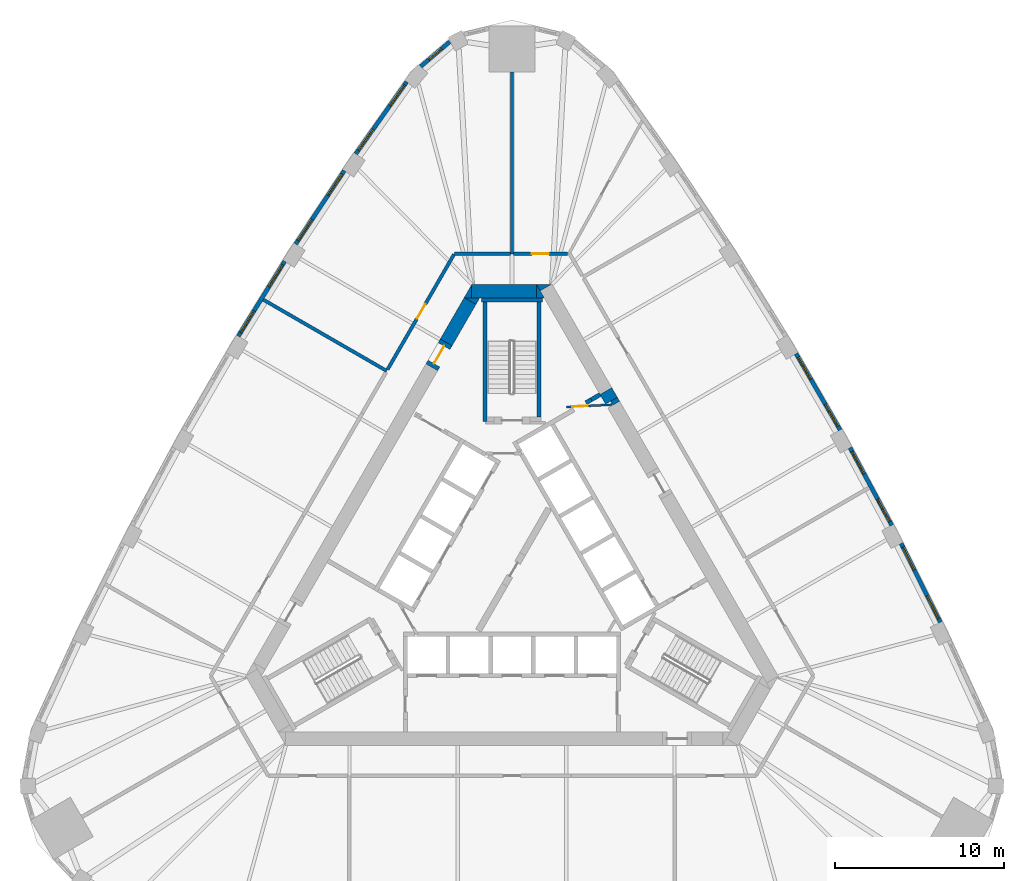
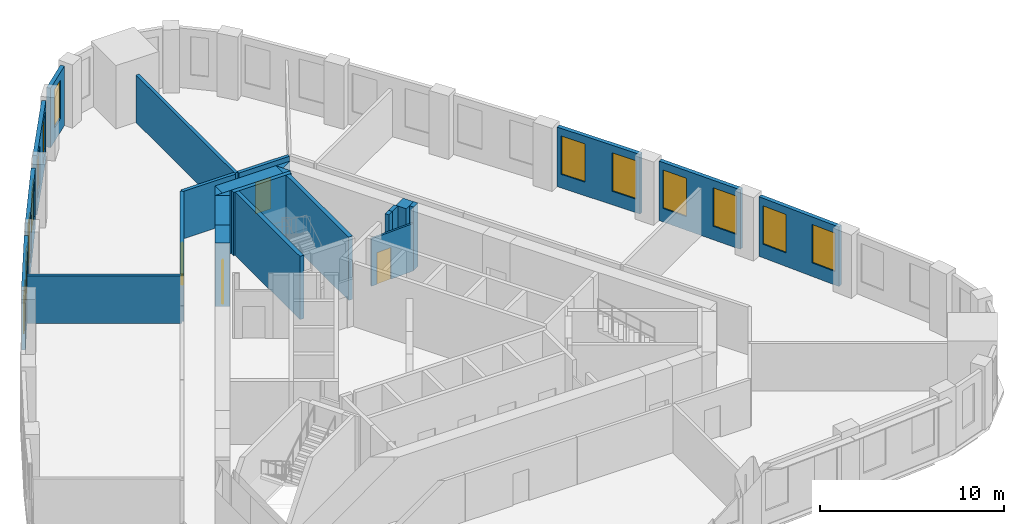
# One storey, part 7 of 9: 27 walls, 13 windows, 4 doors, 17 openings.
"""IFC4 building model written with IfcOpenShell, lengths in metres."""

import ifcopenshell
import ifcopenshell.guid

model = None  # the IFC model being written
_history = None  # IfcOwnerHistory: only IFC2X3 demands one
_inside = {}  # id of a spatial element -> (the spatial element, [elements in it])
_under = {}  # id of a project, library or spatial element -> (it, [spatial elements below it])
_declared = {}  # id of a project -> (the project, [libraries it declares])
_typed = {}  # id of a type object -> (the type object, [elements of that type])
_made_of = {}  # id of a material, layer set ... -> (it, [elements and type objects made of it])


def new_model(schema):
    """Start an empty IFC model of exactly this schema.

    Asked for "IFC4X3", IfcOpenShell would pick the latest addendum, in which some entities
    have other attributes; the version numbers below select the first issue.
    IFC2X3 requires an IfcOwnerHistory on every rooted entity: one is made here for all.
    """
    global model, _history
    if schema == "IFC4X3":
        model = ifcopenshell.file(schema_version=(4, 3, 0, 0))
    else:
        model = ifcopenshell.file(schema=schema)
    _inside.clear()
    _under.clear()
    _declared.clear()
    _typed.clear()
    _made_of.clear()
    _history = None
    if model.schema == "IFC2X3":
        org = make("IfcOrganization", Name="unknown")
        user = make(
            "IfcPersonAndOrganization",
            ThePerson=make("IfcPerson", FamilyName="unknown"),
            TheOrganization=org,
        )
        app = make(
            "IfcApplication",
            ApplicationDeveloper=org,
            Version="unknown",
            ApplicationFullName="unknown",
            ApplicationIdentifier="unknown",
        )
        _history = make(
            "IfcOwnerHistory",
            OwningUser=user,
            OwningApplication=app,
            ChangeAction="ADDED",
            CreationDate=0,
        )
    return model


def make(cls, **values):
    """One entity of the class cls with the attributes given. An attribute that is None is left unset."""
    return model.create_entity(
        cls, **{name: value for name, value in values.items() if value is not None}
    )


def rooted(cls, **values):
    """An entity with a GlobalId (a new one), such as an element, a storey or a relation."""
    return make(cls, GlobalId=ifcopenshell.guid.new(), OwnerHistory=_history, **values)


def si_unit(unit_type, name, prefix=None):
    """IfcSIUnit, for example si_unit("LENGTHUNIT", "METRE", prefix="MILLI")."""
    return make("IfcSIUnit", UnitType=unit_type, Prefix=prefix, Name=name)


def assignment(units):
    """IfcUnitAssignment: the units of a project."""
    return None if units is None else make("IfcUnitAssignment", Units=units)


def point(xyz):
    """IfcCartesianPoint."""
    return None if xyz is None else make("IfcCartesianPoint", Coordinates=xyz)


def direction(xyz):
    """IfcDirection."""
    return None if xyz is None else make("IfcDirection", DirectionRatios=xyz)


def frame(location, z_axis=None, x_axis=None):
    """IfcAxis2Placement3D, a coordinate frame: its origin and axes. An axis left out is left unset."""
    return make(
        "IfcAxis2Placement3D",
        Location=point(location),
        Axis=direction(z_axis),
        RefDirection=direction(x_axis),
    )


def frame_2d(location, x_axis=None):
    """IfcAxis2Placement2D, a coordinate frame in the plane: its origin and x axis."""
    return make(
        "IfcAxis2Placement2D", Location=point(location), RefDirection=direction(x_axis)
    )


def origin():
    """The frame at (0, 0, 0) with its axes left unset."""
    return frame((0.0, 0.0, 0.0))


def place(relative_to, where):
    """IfcLocalPlacement: puts the frame where relative to a parent placement (None: the world)."""
    return make(
        "IfcLocalPlacement", PlacementRelTo=relative_to, RelativePlacement=where
    )


def context(
    kind, dimensions, precision=None, world=None, true_north=None, identifier=None
):
    """IfcGeometricRepresentationContext, for example the 3D "Model" context."""
    return make(
        "IfcGeometricRepresentationContext",
        ContextIdentifier=identifier,
        ContextType=kind,
        CoordinateSpaceDimension=dimensions,
        Precision=precision,
        WorldCoordinateSystem=world,
        TrueNorth=true_north,
    )


def subcontext(parent, identifier, kind, view, scale=None):
    """IfcGeometricRepresentationSubContext, for example "Body" below "Model"."""
    return make(
        "IfcGeometricRepresentationSubContext",
        ContextIdentifier=identifier,
        ContextType=kind,
        ParentContext=parent,
        TargetScale=scale,
        TargetView=view,
    )


def project(units=None, contexts=None):
    """IfcProject with its units and contexts."""
    return rooted(
        "IfcProject",
        Name="project",
        RepresentationContexts=contexts,
        UnitsInContext=assignment(units),
    )


def spatial(cls, under=None, at=None, **own):
    """A site, building, storey or space (cls), placed at a placement, below another one or the project."""
    s = rooted(cls, ObjectPlacement=at, **own)
    if under is not None:
        _under.setdefault(under.id(), (under, []))[1].append(s)
    return s


def polyline(points):
    """IfcPolyline through the points."""
    return make("IfcPolyline", Points=[point(p) for p in points])


def profile(cls, at=None, kind="AREA", **sizes):
    """A parametric profile (cls). Its sizes go by their IFC names, for example OverallWidth=200.0."""
    return make(cls, ProfileType=kind, Position=at, **sizes)


def rectangle(**sizes):
    """IfcRectangleProfileDef."""
    return profile("IfcRectangleProfileDef", **sizes)


def outline(outer, holes=None, kind="AREA"):
    """IfcArbitraryClosedProfileDef: a profile drawn as a closed curve; with holes, ...WithVoids."""
    if holes is None:
        return make("IfcArbitraryClosedProfileDef", ProfileType=kind, OuterCurve=outer)
    return make(
        "IfcArbitraryProfileDefWithVoids",
        ProfileType=kind,
        OuterCurve=outer,
        InnerCurves=holes,
    )


def extrude(swept, where, along, depth):
    """IfcExtrudedAreaSolid: the profile swept, set in the frame where, extruded along a direction by depth."""
    return make(
        "IfcExtrudedAreaSolid",
        SweptArea=swept,
        Position=where,
        ExtrudedDirection=direction(along),
        Depth=depth,
    )


def shape(context_of_items, identifier, shape_type, items):
    """IfcShapeRepresentation: the items that make up one representation, for example the "Body"."""
    return make(
        "IfcShapeRepresentation",
        ContextOfItems=context_of_items,
        RepresentationIdentifier=identifier,
        RepresentationType=shape_type,
        Items=items,
    )


def material(Name=None, Category=None):
    """IfcMaterial."""
    return make("IfcMaterial", Name=Name, Category=Category)


def layer(
    of_material, thickness, ventilated=None, Name=None, Category=None, Priority=None
):
    """IfcMaterialLayer: one layer of a wall or slab, of a material (None: an air gap)."""
    return make(
        "IfcMaterialLayer",
        Material=of_material,
        LayerThickness=thickness,
        IsVentilated=ventilated,
        Name=Name,
        Category=Category,
        Priority=Priority,
    )


def layer_set(layers, Name=None):
    """IfcMaterialLayerSet."""
    return make("IfcMaterialLayerSet", MaterialLayers=layers, LayerSetName=Name)


def made_of(thing, what):
    """Note that an element or type object is made of a material, layer set ...; save() writes the relation."""
    if what is not None:
        _made_of.setdefault(what.id(), (what, []))[1].append(thing)
    return thing


def type_object(cls, material=None, **own):
    """A type object (cls), such as IfcWallType, which elements share."""
    return made_of(rooted(cls, **own), material)


def element(
    cls,
    number,
    at=None,
    inside=None,
    cuts=None,
    type_object=None,
    material=None,
    context=None,
    identifier="Body",
    shape_type=None,
    held_by="IfcProductDefinitionShape",
    body=None,
    shapes=None,
    **own,
):
    """One element of the class cls, such as IfcWall. Its Tag is "e" and its number.

    at: its placement. inside: the storey or other place that contains it. cuts: it is an
    opening in that element (IfcRelVoidsElement). A single representation is given by context,
    identifier, shape_type and body (its items); several are given by shapes. held_by: the class
    of the entity that holds the representations. save() writes the other relations.
    """
    e = rooted(cls, Tag="e%d" % number, ObjectPlacement=at, **own)
    if body is not None:
        shapes = [shape(context, identifier, shape_type, body)]
    if shapes is not None:
        e.Representation = make(held_by, Representations=shapes)
    if inside is not None:
        _inside.setdefault(inside.id(), (inside, []))[1].append(e)
    if cuts is not None:
        rooted(
            "IfcRelVoidsElement", RelatingBuildingElement=cuts, RelatedOpeningElement=e
        )
    if type_object is not None:
        _typed.setdefault(type_object.id(), (type_object, []))[1].append(e)
    return made_of(e, material)


def fill(opening, filler):
    """IfcRelFillsElement: the door or window that sits in an opening."""
    return rooted(
        "IfcRelFillsElement",
        RelatingOpeningElement=opening,
        RelatedBuildingElement=filler,
    )


def aggregate(whole, parts):
    """IfcRelAggregates: a whole, such as a stair, and the parts it consists of."""
    return rooted("IfcRelAggregates", RelatingObject=whole, RelatedObjects=parts)


def save(model, path):
    """Write the relations noted so far, then the file.

    IfcRelAggregates (storeys below a building ...), IfcRelContainedInSpatialStructure (elements
    in a storey), IfcRelDefinesByType, IfcRelAssociatesMaterial and IfcRelDeclares: one each for
    every whole, place, type object, material and project.
    """
    for whole, parts in _under.values():
        aggregate(whole, parts)
    for where, things in _inside.values():
        rooted(
            "IfcRelContainedInSpatialStructure",
            RelatedElements=things,
            RelatingStructure=where,
        )
    for kind, things in _typed.values():
        rooted("IfcRelDefinesByType", RelatedObjects=things, RelatingType=kind)
    for what, things in _made_of.values():
        rooted("IfcRelAssociatesMaterial", RelatedObjects=things, RelatingMaterial=what)
    for by, libraries in _declared.values():
        rooted("IfcRelDeclares", RelatingContext=by, RelatedDefinitions=libraries)
    model.write(path)


model = new_model("IFC4")

# Units and contexts
model_context = context("Model", 3, precision=1e-05, world=origin(), true_north=direction((0.0, 1.0)))
body_context = subcontext(model_context, "Body", "Model", "MODEL_VIEW")
ifc_project = project(units=[si_unit("LENGTHUNIT", "METRE"), si_unit("AREAUNIT", "SQUARE_METRE"), si_unit("VOLUMEUNIT", "CUBIC_METRE"), si_unit("PLANEANGLEUNIT", "RADIAN"), si_unit("MASSUNIT", "GRAM", prefix="KILO")], contexts=[model_context])

# Site, building, storey
site_placement = place(None, origin())
site = spatial("IfcSite", under=ifc_project, at=site_placement, CompositionType="ELEMENT")
building_placement = place(site_placement, origin())
building = spatial("IfcBuilding", under=site, at=building_placement, Name="Mestral Congress Tower", CompositionType="ELEMENT")
storey_placement = place(building_placement, frame((0.0, 0.0, 179.39990234375)))
storey = spatial("IfcBuildingStorey", under=building, at=storey_placement, Name="L42", CompositionType="ELEMENT", Elevation=179.39990234375)

# Wall, opening, door
ifc_material_1 = material(Name="Fire-rated board partition")
ifc_layer_1 = layer(ifc_material_1, 0.1201171875)
ifc_layer_set_1 = layer_set([ifc_layer_1], Name="Fire-rated board partition")
wall_type_1 = type_object("IfcWallType", Name="Core partition 150 door-wall 120", PredefinedType="PARTITIONING", material=ifc_layer_set_1)
wall_1_placement = place(storey_placement, frame((5.917236328125, 9.684326171875, 0.0), z_axis=(0.0, 0.0, 1.0), x_axis=(-0.998758194515, -0.049820366212, 0.0)))
wall_1 = element("IfcWall", 1, at=wall_1_placement, inside=storey, type_object=wall_type_1, Name="L42 door wall", PredefinedType="PARTITIONING", context=body_context, shape_type="SweptSolid", body=[
    extrude(rectangle(XDim=2.7001953125, YDim=0.119873046875, at=frame_2d((1.35009765625, 0.0))), origin(), (0.0, 0.0, 1.0), 3.150146484375),
])
opening_1_placement = place(wall_1_placement, frame((1.449951171875, 0.0, 0.0)))
opening_1 = element("IfcOpeningElement", 2, at=opening_1_placement, cuts=wall_1, Name="Opening TD2", PredefinedType="OPENING", context=body_context, shape_type="SweptSolid", body=[
    extrude(rectangle(XDim=0.89990234375, YDim=2.10009765625, at=frame_2d((0.449951171875, 1.050048828125))), frame((0.0, 0.06982421875, 0.0), z_axis=(0.0, -1.0, 0.0), x_axis=(1.0, 0.0, 0.0)), (0.0, 0.0, 1.0), 0.139892578125),
])
ifc_material_2 = material(Name="Fire-rated steel door set", Category="steel")
door_type_1 = type_object("IfcDoorType", Name="Core door SR 900x2100", OperationType="SINGLE_SWING_LEFT", PredefinedType="DOOR", material=ifc_material_2)
door_1_placement = place(opening_1_placement, origin())
door_1 = element("IfcDoor", 3, at=door_1_placement, inside=storey, type_object=door_type_1, Name="Door TD2", OperationType="SINGLE_SWING_LEFT", OverallHeight=2.10009765625, OverallWidth=0.89990234375, PredefinedType="DOOR", context=body_context, shape_type="SweptSolid", body=[
    extrude(rectangle(XDim=0.89990234375, YDim=2.10009765625, at=frame_2d((0.449951171875, 1.050048828125))), frame((0.0, 0.02490234375, 0.0), z_axis=(0.0, -1.0, 0.0), x_axis=(1.0, 0.0, 0.0)), (0.0, 0.0, 1.0), 0.050048828125),
])
fill(opening_1, door_1)

# Walls
ifc_material_3 = material(Name="Concrete C60/75", Category="concrete")
ifc_layer_2 = layer(ifc_material_3, 0.800048828125)
ifc_layer_set_2 = layer_set([ifc_layer_2], Name="Concrete C60/75")
wall_type_2 = type_object("IfcWallType", Name="Core wall RC 800", PredefinedType="SOLIDWALL", material=ifc_layer_set_2)
wall_2_placement = place(storey_placement, frame((5.87841796875, 9.918212890625, 0.0), z_axis=(0.0, 0.0, 1.0), x_axis=(-0.499893918903, 0.866086641072, 0.0)))
element("IfcWall", 4, at=wall_2_placement, inside=storey, type_object=wall_type_2, Name="L42 core wall", PredefinedType="SOLIDWALL", context=body_context, shape_type="SweptSolid", body=[
    extrude(rectangle(XDim=0.657470703125, YDim=0.800048828125, at=frame_2d((0.32861328125, 0.0))), origin(), (0.0, 0.0, 1.0), 4.2001953125),
])
placement = place(storey_placement, origin())
element("IfcWall", 5, at=placement, inside=storey, type_object=wall_type_2, Name="L42 core wall", PredefinedType="SOLIDWALL", context=body_context, shape_type="SweptSolid", body=[
    extrude(outline(polyline([(5.961181640625, 9.654052734375), (5.8271484375, 9.88623046875), (6.225830078125, 10.116455078125), (6.35986328125, 9.88427734375), (5.961181640625, 9.654052734375)])), origin(), (0.0, 0.0, 1.0), 4.2001953125),
])
element("IfcWall", 6, at=placement, inside=storey, type_object=wall_type_2, Name="L42 core wall", PredefinedType="SOLIDWALL", context=body_context, shape_type="SweptSolid", body=[
    extrude(outline(polyline([(1.443359375, 16.800048828125), (2.33935546875, 16.800048828125), (1.667236328125, 16.412109375), (1.443359375, 16.800048828125)])), origin(), (0.0, 0.0, 1.0), 4.2001953125),
])
wall_5_placement = place(storey_placement, frame((-2.37890625, 16.39990234375, 0.0), z_axis=(0.0, 0.0, 1.0), x_axis=(1.0, 0.0, 0.0)))
element("IfcWall", 7, at=wall_5_placement, inside=storey, type_object=wall_type_2, Name="L42 core wall", PredefinedType="SOLIDWALL", context=body_context, shape_type="SweptSolid", body=[
    extrude(rectangle(XDim=3.82421875, YDim=0.800048828125, at=frame_2d((1.912109375, 0.0))), origin(), (0.0, 0.0, 1.0), 4.2001953125),
])
element("IfcWall", 8, at=placement, inside=storey, type_object=wall_type_2, Name="L42 core wall", PredefinedType="SOLIDWALL", context=body_context, shape_type="SweptSolid", body=[
    extrude(outline(polyline([(1.9052734375, 16.0), (1.447265625, 16.0), (1.447265625, 16.793212890625), (1.9052734375, 16.0)])), origin(), (0.0, 0.0, 1.0), 4.2001953125),
])
element("IfcWall", 9, at=placement, inside=storey, type_object=wall_type_2, Name="L42 core wall", PredefinedType="SOLIDWALL", context=body_context, shape_type="SweptSolid", body=[
    extrude(outline(polyline([(-2.8291015625, 16.0), (-2.381103515625, 16.77587890625), (-2.381103515625, 16.0), (-2.8291015625, 16.0)])), origin(), (0.0, 0.0, 1.0), 4.2001953125),
])
wall_8_placement = place(storey_placement, frame((-2.476806640625, 15.810302734375, 0.0), z_axis=(0.0, 0.0, 1.0), x_axis=(-0.499969377405, -0.866043083026, 0.0)))
element("IfcWall", 10, at=wall_8_placement, inside=storey, type_object=wall_type_2, Name="L42 core wall", PredefinedType="SOLIDWALL", context=body_context, shape_type="SweptSolid", body=[
    extrude(rectangle(XDim=2.824462890625, YDim=0.800048828125, at=frame_2d((1.412109375, 0.0))), origin(), (0.0, 0.0, 1.0), 4.2001953125),
])
element("IfcWall", 11, at=placement, inside=storey, type_object=wall_type_2, Name="L42 core wall", PredefinedType="SOLIDWALL", context=body_context, shape_type="SweptSolid", body=[
    extrude(outline(polyline([(-1.9052734375, 16.0), (-2.12939453125, 15.612060546875), (-2.80126953125, 16.0), (-1.9052734375, 16.0)])), origin(), (0.0, 0.0, 1.0), 4.2001953125),
])

# Wall, opening, door
wall_10_placement = place(storey_placement, frame((-4.739013671875, 11.89208984375, 0.0), z_axis=(0.0, 0.0, 1.0), x_axis=(0.500062241894, 0.865989465428, 0.0)))
wall_10 = element("IfcWall", 12, at=wall_10_placement, inside=storey, type_object=wall_type_2, Name="L42 door wall", PredefinedType="SOLIDWALL", context=body_context, shape_type="SweptSolid", body=[
    extrude(rectangle(XDim=1.699951171875, YDim=0.800048828125, at=frame_2d((0.85009765625, 0.0))), origin(), (0.0, 0.0, 1.0), 4.2001953125),
])
opening_2_placement = place(wall_10_placement, frame((0.25, 0.0, 0.0)))
opening_2 = element("IfcOpeningElement", 13, at=opening_2_placement, cuts=wall_10, Name="Opening XD2", PredefinedType="OPENING", context=body_context, shape_type="SweptSolid", body=[
    extrude(rectangle(XDim=1.199951171875, YDim=2.10009765625, at=frame_2d((0.60009765625, 1.050048828125))), frame((0.0, 0.409912109375, 0.0), z_axis=(0.0, -1.0, 0.0), x_axis=(1.0, 0.0, 0.0)), (0.0, 0.0, 1.0), 0.820068359375),
])
door_type_2 = type_object("IfcDoorType", Name="Core door XD 1200x2100", OperationType="SINGLE_SWING_LEFT", PredefinedType="DOOR", material=ifc_material_2)
door_2_placement = place(opening_2_placement, origin())
door_2 = element("IfcDoor", 14, at=door_2_placement, inside=storey, type_object=door_type_2, Name="Door XD2", OperationType="SINGLE_SWING_LEFT", OverallHeight=2.10009765625, OverallWidth=1.199951171875, PredefinedType="DOOR", context=body_context, shape_type="SweptSolid", body=[
    extrude(rectangle(XDim=1.199951171875, YDim=2.10009765625, at=frame_2d((0.60009765625, 1.050048828125))), frame((0.0, 0.02490234375, 0.0), z_axis=(0.0, -1.0, 0.0), x_axis=(1.0, 0.0, 0.0)), (0.0, 0.0, 1.0), 0.050048828125),
])
fill(opening_2, door_2)

# Wall, openings, windows
ifc_material_4 = material(Name="Precast concrete C40/50 with limestone facing", Category="masonry")
ifc_layer_3 = layer(ifc_material_4, 0.239990234375)
ifc_layer_set_3 = layer_set([ifc_layer_3], Name="Precast concrete C40/50 with limestone facing")
wall_type_3 = type_object("IfcWallType", Name="Facade stone wall 240", PredefinedType="SOLIDWALL", material=ifc_layer_set_3)
wall_11_placement = place(storey_placement, frame((25.31591796875, -3.17138671875, 0.0), z_axis=(0.0, 0.0, 1.0), x_axis=(-0.446256171312, 0.8949052629, 0.0)))
wall_11 = element("IfcWall", 15, at=wall_11_placement, inside=storey, type_object=wall_type_3, Name="Facade wall F1-01", PredefinedType="SOLIDWALL", context=body_context, shape_type="SweptSolid", body=[
    extrude(rectangle(XDim=5.203369140625, YDim=0.239990234375, at=frame_2d((2.6015625, 0.0))), origin(), (0.0, 0.0, 1.0), 3.9501953125),
])
opening_3_placement = place(wall_11_placement, frame((0.248291015625, 0.0, 0.89990234375)))
opening_3 = element("IfcOpeningElement", 16, at=opening_3_placement, cuts=wall_11, Name="Opening W4", PredefinedType="OPENING", context=body_context, shape_type="SweptSolid", body=[
    extrude(rectangle(XDim=1.5, YDim=2.550048828125, at=frame_2d((0.75, 1.27490234375))), frame((0.0, 0.1298828125, 0.0), z_axis=(0.0, -1.0, 0.0), x_axis=(1.0, 0.0, 0.0)), (0.0, 0.0, 1.0), 0.260009765625),
])
opening_4_placement = place(wall_11_placement, frame((3.455078125, 0.0, 0.89990234375)))
opening_4 = element("IfcOpeningElement", 17, at=opening_4_placement, cuts=wall_11, Name="Opening W4", PredefinedType="OPENING", context=body_context, shape_type="SweptSolid", body=[
    extrude(rectangle(XDim=1.5, YDim=2.550048828125, at=frame_2d((0.75, 1.27490234375))), frame((0.0, 0.1298828125, 0.0), z_axis=(0.0, -1.0, 0.0), x_axis=(1.0, 0.0, 0.0)), (0.0, 0.0, 1.0), 0.260009765625),
])
ifc_material_5 = material(Name="Clear low-emissivity double glazing", Category="glass")
window_type_1 = type_object("IfcWindowType", Name="Facade punched window 1500 x 2550 sill 900", PartitioningType="SINGLE_PANEL", PredefinedType="WINDOW", material=ifc_material_5)
window_1_placement = place(opening_3_placement, origin())
window_1 = element("IfcWindow", 18, at=window_1_placement, inside=storey, type_object=window_type_1, Name="Window F1-01a", OverallHeight=2.550048828125, OverallWidth=1.5, PartitioningType="SINGLE_PANEL", PredefinedType="WINDOW", context=body_context, shape_type="SweptSolid", body=[
    extrude(rectangle(XDim=1.5, YDim=2.550048828125, at=frame_2d((0.75, 1.27490234375))), frame((0.0, 0.0400390625, 0.0), z_axis=(0.0, -1.0, 0.0), x_axis=(1.0, 0.0, 0.0)), (0.0, 0.0, 1.0), 0.06005859375),
])
fill(opening_3, window_1)
window_2_placement = place(opening_4_placement, origin())
window_2 = element("IfcWindow", 19, at=window_2_placement, inside=storey, type_object=window_type_1, Name="Window F1-01b", OverallHeight=2.550048828125, OverallWidth=1.5, PartitioningType="SINGLE_PANEL", PredefinedType="WINDOW", context=body_context, shape_type="SweptSolid", body=[
    extrude(rectangle(XDim=1.5, YDim=2.550048828125, at=frame_2d((0.75, 1.27490234375))), frame((0.0, 0.0400390625, 0.0), z_axis=(0.0, -1.0, 0.0), x_axis=(1.0, 0.0, 0.0)), (0.0, 0.0, 1.0), 0.06005859375),
])
fill(opening_4, window_2)

wall_12_placement = place(storey_placement, frame((22.43994140625, 2.554931640625, 0.0), z_axis=(0.0, 0.0, 1.0), x_axis=(-0.473349833294, 0.880874528704, 0.0)))
wall_12 = element("IfcWall", 20, at=wall_12_placement, inside=storey, type_object=wall_type_3, Name="Facade wall F1-02", PredefinedType="SOLIDWALL", context=body_context, shape_type="SweptSolid", body=[
    extrude(rectangle(XDim=5.20361328125, YDim=0.239990234375, at=frame_2d((2.601806640625, 0.0))), origin(), (0.0, 0.0, 1.0), 3.9501953125),
])
opening_5_placement = place(wall_12_placement, frame((0.248291015625, 0.0, 0.89990234375)))
opening_5 = element("IfcOpeningElement", 21, at=opening_5_placement, cuts=wall_12, Name="Opening W4", PredefinedType="OPENING", context=body_context, shape_type="SweptSolid", body=[
    extrude(rectangle(XDim=1.5, YDim=2.550048828125, at=frame_2d((0.75, 1.27490234375))), frame((0.0, 0.1298828125, 0.0), z_axis=(0.0, -1.0, 0.0), x_axis=(1.0, 0.0, 0.0)), (0.0, 0.0, 1.0), 0.260009765625),
])
opening_6_placement = place(wall_12_placement, frame((3.455078125, 0.0, 0.89990234375)))
opening_6 = element("IfcOpeningElement", 22, at=opening_6_placement, cuts=wall_12, Name="Opening W4", PredefinedType="OPENING", context=body_context, shape_type="SweptSolid", body=[
    extrude(rectangle(XDim=1.5, YDim=2.550048828125, at=frame_2d((0.75, 1.27490234375))), frame((0.0, 0.1298828125, 0.0), z_axis=(0.0, -1.0, 0.0), x_axis=(1.0, 0.0, 0.0)), (0.0, 0.0, 1.0), 0.260009765625),
])
window_3_placement = place(opening_5_placement, origin())
window_3 = element("IfcWindow", 23, at=window_3_placement, inside=storey, type_object=window_type_1, Name="Window F1-02a", OverallHeight=2.550048828125, OverallWidth=1.5, PartitioningType="SINGLE_PANEL", PredefinedType="WINDOW", context=body_context, shape_type="SweptSolid", body=[
    extrude(rectangle(XDim=1.5, YDim=2.550048828125, at=frame_2d((0.75, 1.27490234375))), frame((0.0, 0.0400390625, 0.0), z_axis=(0.0, -1.0, 0.0), x_axis=(1.0, 0.0, 0.0)), (0.0, 0.0, 1.0), 0.06005859375),
])
fill(opening_5, window_3)
window_4_placement = place(opening_6_placement, origin())
window_4 = element("IfcWindow", 24, at=window_4_placement, inside=storey, type_object=window_type_1, Name="Window F1-02b", OverallHeight=2.550048828125, OverallWidth=1.5, PartitioningType="SINGLE_PANEL", PredefinedType="WINDOW", context=body_context, shape_type="SweptSolid", body=[
    extrude(rectangle(XDim=1.5, YDim=2.550048828125, at=frame_2d((0.75, 1.27490234375))), frame((0.0, 0.0400390625, 0.0), z_axis=(0.0, -1.0, 0.0), x_axis=(1.0, 0.0, 0.0)), (0.0, 0.0, 1.0), 0.06005859375),
])
fill(opening_6, window_4)

wall_13_placement = place(storey_placement, frame((19.390625, 8.19091796875, 0.0), z_axis=(0.0, 0.0, 1.0), x_axis=(-0.500009456303, 0.866019944116, 0.0)))
wall_13 = element("IfcWall", 25, at=wall_13_placement, inside=storey, type_object=wall_type_3, Name="Facade wall F1-03", PredefinedType="SOLIDWALL", context=body_context, shape_type="SweptSolid", body=[
    extrude(rectangle(XDim=5.20361328125, YDim=0.239990234375, at=frame_2d((2.601806640625, 0.0))), origin(), (0.0, 0.0, 1.0), 3.9501953125),
])
opening_7_placement = place(wall_13_placement, frame((0.248291015625, 0.0, 0.89990234375)))
opening_7 = element("IfcOpeningElement", 26, at=opening_7_placement, cuts=wall_13, Name="Opening W4", PredefinedType="OPENING", context=body_context, shape_type="SweptSolid", body=[
    extrude(rectangle(XDim=1.5, YDim=2.550048828125, at=frame_2d((0.75, 1.27490234375))), frame((0.0, 0.1298828125, 0.0), z_axis=(0.0, -1.0, 0.0), x_axis=(1.0, 0.0, 0.0)), (0.0, 0.0, 1.0), 0.260009765625),
])
opening_8_placement = place(wall_13_placement, frame((3.455078125, 0.0, 0.89990234375)))
opening_8 = element("IfcOpeningElement", 27, at=opening_8_placement, cuts=wall_13, Name="Opening W4", PredefinedType="OPENING", context=body_context, shape_type="SweptSolid", body=[
    extrude(rectangle(XDim=1.5, YDim=2.550048828125, at=frame_2d((0.75, 1.27490234375))), frame((0.0, 0.1298828125, 0.0), z_axis=(0.0, -1.0, 0.0), x_axis=(1.0, 0.0, 0.0)), (0.0, 0.0, 1.0), 0.260009765625),
])
window_5_placement = place(opening_7_placement, origin())
window_5 = element("IfcWindow", 28, at=window_5_placement, inside=storey, type_object=window_type_1, Name="Window F1-03a", OverallHeight=2.550048828125, OverallWidth=1.5, PartitioningType="SINGLE_PANEL", PredefinedType="WINDOW", context=body_context, shape_type="SweptSolid", body=[
    extrude(rectangle(XDim=1.5, YDim=2.550048828125, at=frame_2d((0.75, 1.27490234375))), frame((0.0, 0.0400390625, 0.0), z_axis=(0.0, -1.0, 0.0), x_axis=(1.0, 0.0, 0.0)), (0.0, 0.0, 1.0), 0.06005859375),
])
fill(opening_7, window_5)
window_6_placement = place(opening_8_placement, origin())
window_6 = element("IfcWindow", 29, at=window_6_placement, inside=storey, type_object=window_type_1, Name="Window F1-03b", OverallHeight=2.550048828125, OverallWidth=1.5, PartitioningType="SINGLE_PANEL", PredefinedType="WINDOW", context=body_context, shape_type="SweptSolid", body=[
    extrude(rectangle(XDim=1.5, YDim=2.550048828125, at=frame_2d((0.75, 1.27490234375))), frame((0.0, 0.0400390625, 0.0), z_axis=(0.0, -1.0, 0.0), x_axis=(1.0, 0.0, 0.0)), (0.0, 0.0, 1.0), 0.06005859375),
])
fill(opening_8, window_6)

# Wall, opening, window
wall_14_placement = place(storey_placement, frame((-3.67822265625, 31.130859375, 0.0), z_axis=(0.0, 0.0, 1.0), x_axis=(-0.761419744247, -0.648259186645, 0.0)))
wall_14 = element("IfcWall", 30, at=wall_14_placement, inside=storey, type_object=wall_type_3, Name="Facade wall K1-3", PredefinedType="SOLIDWALL", context=body_context, shape_type="SweptSolid", body=[
    extrude(rectangle(XDim=2.250244140625, YDim=0.239990234375, at=frame_2d((1.125, 0.0))), origin(), (0.0, 0.0, 1.0), 3.9501953125),
])
opening_9_placement = place(wall_14_placement, frame((0.625244140625, 0.0, 0.89990234375)))
opening_9 = element("IfcOpeningElement", 31, at=opening_9_placement, cuts=wall_14, Name="Opening W5", PredefinedType="OPENING", context=body_context, shape_type="SweptSolid", body=[
    extrude(rectangle(XDim=1.0, YDim=2.550048828125, at=frame_2d((0.5, 1.27490234375))), frame((0.0, 0.1298828125, 0.0), z_axis=(0.0, -1.0, 0.0), x_axis=(1.0, 0.0, 0.0)), (0.0, 0.0, 1.0), 0.260009765625),
])
window_type_2 = type_object("IfcWindowType", Name="Facade punched window 1000 x 2550 sill 900", PartitioningType="SINGLE_PANEL", PredefinedType="WINDOW", material=ifc_material_5)
window_7_placement = place(opening_9_placement, origin())
window_7 = element("IfcWindow", 32, at=window_7_placement, inside=storey, type_object=window_type_2, Name="Window K1-3", OverallHeight=2.550048828125, OverallWidth=1.0, PartitioningType="SINGLE_PANEL", PredefinedType="WINDOW", context=body_context, shape_type="SweptSolid", body=[
    extrude(rectangle(XDim=1.0, YDim=2.550048828125, at=frame_2d((0.5, 1.27490234375))), frame((0.0, 0.0400390625, 0.0), z_axis=(0.0, -1.0, 0.0), x_axis=(1.0, 0.0, 0.0)), (0.0, 0.0, 1.0), 0.06005859375),
])
fill(opening_9, window_7)

# Wall, openings, windows
wall_15_placement = place(storey_placement, frame((-6.22265625, 28.76171875, 0.0), z_axis=(0.0, 0.0, 1.0), x_axis=(-0.577115207679, -0.816662743772, 0.0)))
wall_15 = element("IfcWall", 33, at=wall_15_placement, inside=storey, type_object=wall_type_3, Name="Facade wall F2-00", PredefinedType="SOLIDWALL", context=body_context, shape_type="SweptSolid", body=[
    extrude(rectangle(XDim=5.213134765625, YDim=0.239990234375, at=frame_2d((2.6064453125, 0.0))), origin(), (0.0, 0.0, 1.0), 3.9501953125),
])
opening_10_placement = place(wall_15_placement, frame((0.220703125, 0.0, 0.89990234375)))
opening_10 = element("IfcOpeningElement", 34, at=opening_10_placement, cuts=wall_15, Name="Opening W4", PredefinedType="OPENING", context=body_context, shape_type="SweptSolid", body=[
    extrude(rectangle(XDim=1.5, YDim=2.550048828125, at=frame_2d((0.75, 1.27490234375))), frame((0.0, 0.1298828125, 0.0), z_axis=(0.0, -1.0, 0.0), x_axis=(1.0, 0.0, 0.0)), (0.0, 0.0, 1.0), 0.260009765625),
])
opening_11_placement = place(wall_15_placement, frame((3.452392578125, 0.0, 0.89990234375)))
opening_11 = element("IfcOpeningElement", 35, at=opening_11_placement, cuts=wall_15, Name="Opening W4", PredefinedType="OPENING", context=body_context, shape_type="SweptSolid", body=[
    extrude(rectangle(XDim=1.5, YDim=2.550048828125, at=frame_2d((0.75, 1.27490234375))), frame((0.0, 0.1298828125, 0.0), z_axis=(0.0, -1.0, 0.0), x_axis=(1.0, 0.0, 0.0)), (0.0, 0.0, 1.0), 0.260009765625),
])
window_8_placement = place(opening_10_placement, origin())
window_8 = element("IfcWindow", 36, at=window_8_placement, inside=storey, type_object=window_type_1, Name="Window F2-00a", OverallHeight=2.550048828125, OverallWidth=1.5, PartitioningType="SINGLE_PANEL", PredefinedType="WINDOW", context=body_context, shape_type="SweptSolid", body=[
    extrude(rectangle(XDim=1.5, YDim=2.550048828125, at=frame_2d((0.75, 1.27490234375))), frame((0.0, 0.0400390625, 0.0), z_axis=(0.0, -1.0, 0.0), x_axis=(1.0, 0.0, 0.0)), (0.0, 0.0, 1.0), 0.06005859375),
])
fill(opening_10, window_8)
window_9_placement = place(opening_11_placement, origin())
window_9 = element("IfcWindow", 37, at=window_9_placement, inside=storey, type_object=window_type_1, Name="Window F2-00b", OverallHeight=2.550048828125, OverallWidth=1.5, PartitioningType="SINGLE_PANEL", PredefinedType="WINDOW", context=body_context, shape_type="SweptSolid", body=[
    extrude(rectangle(XDim=1.5, YDim=2.550048828125, at=frame_2d((0.75, 1.27490234375))), frame((0.0, 0.0400390625, 0.0), z_axis=(0.0, -1.0, 0.0), x_axis=(1.0, 0.0, 0.0)), (0.0, 0.0, 1.0), 0.06005859375),
])
fill(opening_11, window_9)

wall_16_placement = place(storey_placement, frame((-9.911376953125, 23.510009765625, 0.0), z_axis=(0.0, 0.0, 1.0), x_axis=(-0.551892811511, -0.833915058386, 0.0)))
wall_16 = element("IfcWall", 38, at=wall_16_placement, inside=storey, type_object=wall_type_3, Name="Facade wall F2-01", PredefinedType="SOLIDWALL", context=body_context, shape_type="SweptSolid", body=[
    extrude(rectangle(XDim=5.20361328125, YDim=0.239990234375, at=frame_2d((2.601806640625, 0.0))), origin(), (0.0, 0.0, 1.0), 3.9501953125),
])
opening_12_placement = place(wall_16_placement, frame((0.248291015625, 0.0, 0.89990234375)))
opening_12 = element("IfcOpeningElement", 39, at=opening_12_placement, cuts=wall_16, Name="Opening W4", PredefinedType="OPENING", context=body_context, shape_type="SweptSolid", body=[
    extrude(rectangle(XDim=1.5, YDim=2.550048828125, at=frame_2d((0.75, 1.27490234375))), frame((0.0, 0.1298828125, 0.0), z_axis=(0.0, -1.0, 0.0), x_axis=(1.0, 0.0, 0.0)), (0.0, 0.0, 1.0), 0.260009765625),
])
opening_13_placement = place(wall_16_placement, frame((3.455078125, 0.0, 0.89990234375)))
opening_13 = element("IfcOpeningElement", 40, at=opening_13_placement, cuts=wall_16, Name="Opening W4", PredefinedType="OPENING", context=body_context, shape_type="SweptSolid", body=[
    extrude(rectangle(XDim=1.5, YDim=2.550048828125, at=frame_2d((0.75, 1.27490234375))), frame((0.0, 0.1298828125, 0.0), z_axis=(0.0, -1.0, 0.0), x_axis=(1.0, 0.0, 0.0)), (0.0, 0.0, 1.0), 0.260009765625),
])
window_10_placement = place(opening_12_placement, origin())
window_10 = element("IfcWindow", 41, at=window_10_placement, inside=storey, type_object=window_type_1, Name="Window F2-01a", OverallHeight=2.550048828125, OverallWidth=1.5, PartitioningType="SINGLE_PANEL", PredefinedType="WINDOW", context=body_context, shape_type="SweptSolid", body=[
    extrude(rectangle(XDim=1.5, YDim=2.550048828125, at=frame_2d((0.75, 1.27490234375))), frame((0.0, 0.0400390625, 0.0), z_axis=(0.0, -1.0, 0.0), x_axis=(1.0, 0.0, 0.0)), (0.0, 0.0, 1.0), 0.06005859375),
])
fill(opening_12, window_10)
window_11_placement = place(opening_13_placement, origin())
window_11 = element("IfcWindow", 42, at=window_11_placement, inside=storey, type_object=window_type_1, Name="Window F2-01b", OverallHeight=2.550048828125, OverallWidth=1.5, PartitioningType="SINGLE_PANEL", PredefinedType="WINDOW", context=body_context, shape_type="SweptSolid", body=[
    extrude(rectangle(XDim=1.5, YDim=2.550048828125, at=frame_2d((0.75, 1.27490234375))), frame((0.0, 0.0400390625, 0.0), z_axis=(0.0, -1.0, 0.0), x_axis=(1.0, 0.0, 0.0)), (0.0, 0.0, 1.0), 0.06005859375),
])
fill(opening_13, window_11)

wall_17_placement = place(storey_placement, frame((-13.4326171875, 18.156005859375, 0.0), z_axis=(0.0, 0.0, 1.0), x_axis=(-0.526197926587, -0.850362124072, 0.0)))
wall_17 = element("IfcWall", 43, at=wall_17_placement, inside=storey, type_object=wall_type_3, Name="Facade wall F2-02", PredefinedType="SOLIDWALL", context=body_context, shape_type="SweptSolid", body=[
    extrude(rectangle(XDim=5.203369140625, YDim=0.239990234375, at=frame_2d((2.6015625, 0.0))), origin(), (0.0, 0.0, 1.0), 3.9501953125),
])
opening_14_placement = place(wall_17_placement, frame((0.248291015625, 0.0, 0.89990234375)))
opening_14 = element("IfcOpeningElement", 44, at=opening_14_placement, cuts=wall_17, Name="Opening W4", PredefinedType="OPENING", context=body_context, shape_type="SweptSolid", body=[
    extrude(rectangle(XDim=1.5, YDim=2.550048828125, at=frame_2d((0.75, 1.27490234375))), frame((0.0, 0.1298828125, 0.0), z_axis=(0.0, -1.0, 0.0), x_axis=(1.0, 0.0, 0.0)), (0.0, 0.0, 1.0), 0.260009765625),
])
opening_15_placement = place(wall_17_placement, frame((3.455078125, 0.0, 0.89990234375)))
opening_15 = element("IfcOpeningElement", 45, at=opening_15_placement, cuts=wall_17, Name="Opening W4", PredefinedType="OPENING", context=body_context, shape_type="SweptSolid", body=[
    extrude(rectangle(XDim=1.5, YDim=2.550048828125, at=frame_2d((0.75, 1.27490234375))), frame((0.0, 0.1298828125, 0.0), z_axis=(0.0, -1.0, 0.0), x_axis=(1.0, 0.0, 0.0)), (0.0, 0.0, 1.0), 0.260009765625),
])
window_12_placement = place(opening_14_placement, origin())
window_12 = element("IfcWindow", 46, at=window_12_placement, inside=storey, type_object=window_type_1, Name="Window F2-02a", OverallHeight=2.550048828125, OverallWidth=1.5, PartitioningType="SINGLE_PANEL", PredefinedType="WINDOW", context=body_context, shape_type="SweptSolid", body=[
    extrude(rectangle(XDim=1.5, YDim=2.550048828125, at=frame_2d((0.75, 1.27490234375))), frame((0.0, 0.0400390625, 0.0), z_axis=(0.0, -1.0, 0.0), x_axis=(1.0, 0.0, 0.0)), (0.0, 0.0, 1.0), 0.06005859375),
])
fill(opening_14, window_12)
window_13_placement = place(opening_15_placement, origin())
window_13 = element("IfcWindow", 47, at=window_13_placement, inside=storey, type_object=window_type_1, Name="Window F2-02b", OverallHeight=2.550048828125, OverallWidth=1.5, PartitioningType="SINGLE_PANEL", PredefinedType="WINDOW", context=body_context, shape_type="SweptSolid", body=[
    extrude(rectangle(XDim=1.5, YDim=2.550048828125, at=frame_2d((0.75, 1.27490234375))), frame((0.0, 0.0400390625, 0.0), z_axis=(0.0, -1.0, 0.0), x_axis=(1.0, 0.0, 0.0)), (0.0, 0.0, 1.0), 0.06005859375),
])
fill(opening_15, window_13)

# Wall
ifc_material_6 = material(Name="Dense masonry wall, plastered", Category="masonry")
ifc_layer_4 = layer(ifc_material_6, 0.199951171875)
ifc_layer_set_4 = layer_set([ifc_layer_4], Name="Dense masonry wall, plastered")
wall_type_4 = type_object("IfcWallType", Name="Office tenancy wall 200", PredefinedType="PARTITIONING", material=ifc_layer_set_4)
wall_18_placement = place(storey_placement, frame((0.0, 18.60009765625, 0.0), z_axis=(0.0, 0.0, 1.0), x_axis=(0.0, 1.0, 0.0)))
element("IfcWall", 48, at=wall_18_placement, inside=storey, type_object=wall_type_4, Name="Tenancy wall", PredefinedType="PARTITIONING", context=body_context, shape_type="SweptSolid", body=[
    extrude(rectangle(XDim=10.754150390625, YDim=0.199951171875, at=frame_2d((5.376953125, 0.0))), origin(), (0.0, 0.0, 1.0), 3.150146484375),
])

# Wall, opening, door
wall_19_placement = place(storey_placement, frame((3.2744140625, 18.60009765625, 0.0), z_axis=(0.0, 0.0, 1.0), x_axis=(-1.0, 0.0, 0.0)))
wall_19 = element("IfcWall", 49, at=wall_19_placement, inside=storey, type_object=wall_type_4, Name="Tenancy wall", PredefinedType="PARTITIONING", context=body_context, shape_type="SweptSolid", body=[
    extrude(rectangle(XDim=3.17431640625, YDim=0.199951171875, at=frame_2d((1.587158203125, 0.0))), origin(), (0.0, 0.0, 1.0), 3.150146484375),
])
opening_16_placement = place(wall_19_placement, frame((1.10009765625, 0.0, 0.0)))
opening_16 = element("IfcOpeningElement", 50, at=opening_16_placement, cuts=wall_19, Name="Opening O04-006", PredefinedType="OPENING", context=body_context, shape_type="SweptSolid", body=[
    extrude(rectangle(XDim=1.0, YDim=2.10009765625, at=frame_2d((0.5, 1.050048828125))), frame((0.0, 0.10986328125, 0.0), z_axis=(0.0, -1.0, 0.0), x_axis=(1.0, 0.0, 0.0)), (0.0, 0.0, 1.0), 0.219970703125),
])
ifc_material_7 = material(Name="Fire-rated timber door set", Category="wood")
door_type_3 = type_object("IfcDoorType", Name="Office tenancy entrance door 1000x2100", OperationType="SINGLE_SWING_LEFT", PredefinedType="DOOR", material=ifc_material_7)
door_3_placement = place(opening_16_placement, origin())
door_3 = element("IfcDoor", 51, at=door_3_placement, inside=storey, type_object=door_type_3, Name="Door O04-006", OperationType="SINGLE_SWING_RIGHT", OverallHeight=2.10009765625, OverallWidth=1.0, PredefinedType="DOOR", context=body_context, shape_type="SweptSolid", body=[
    extrude(rectangle(XDim=1.0, YDim=2.10009765625, at=frame_2d((0.5, 1.050048828125))), frame((0.0, 0.02490234375, 0.0), z_axis=(0.0, -1.0, 0.0), x_axis=(1.0, 0.0, 0.0)), (0.0, 0.0, 1.0), 0.050048828125),
])
fill(opening_16, door_3)

# Walls
wall_20_placement = place(storey_placement, frame((-7.40283203125, 11.677978515625, 0.0), z_axis=(0.0, 0.0, 1.0), x_axis=(-0.866029143232, 0.499993523031, 0.0)))
element("IfcWall", 52, at=wall_20_placement, inside=storey, type_object=wall_type_4, Name="Tenancy wall", PredefinedType="PARTITIONING", context=body_context, shape_type="SweptSolid", body=[
    extrude(rectangle(XDim=8.419921875, YDim=0.199951171875, at=frame_2d((4.2099609375, 0.0))), origin(), (0.0, 0.0, 1.0), 3.150146484375),
])
wall_21_placement = place(storey_placement, frame((-0.10009765625, 18.60009765625, 0.0), z_axis=(0.0, 0.0, 1.0), x_axis=(-1.0, 0.0, 0.0)))
element("IfcWall", 53, at=wall_21_placement, inside=storey, type_object=wall_type_4, Name="Tenancy wall", PredefinedType="PARTITIONING", context=body_context, shape_type="SweptSolid", body=[
    extrude(rectangle(XDim=3.306396484375, YDim=0.199951171875, at=frame_2d((1.6533203125, 0.0))), origin(), (0.0, 0.0, 1.0), 3.150146484375),
])

# Wall, opening, door
wall_22_placement = place(storey_placement, frame((-3.42138671875, 18.573974609375, 0.0), z_axis=(0.0, 0.0, 1.0), x_axis=(-0.499989434416, -0.866031503741, 0.0)))
wall_22 = element("IfcWall", 54, at=wall_22_placement, inside=storey, type_object=wall_type_4, Name="Tenancy wall", PredefinedType="PARTITIONING", context=body_context, shape_type="SweptSolid", body=[
    extrude(rectangle(XDim=7.863037109375, YDim=0.199951171875, at=frame_2d((3.931640625, 0.0))), origin(), (0.0, 0.0, 1.0), 3.150146484375),
])
opening_17_placement = place(wall_22_placement, frame((3.39990234375, 0.0, 0.0)))
opening_17 = element("IfcOpeningElement", 55, at=opening_17_placement, cuts=wall_22, Name="Opening O04-007", PredefinedType="OPENING", context=body_context, shape_type="SweptSolid", body=[
    extrude(rectangle(XDim=1.0, YDim=2.10009765625, at=frame_2d((0.5, 1.050048828125))), frame((0.0, 0.10986328125, 0.0), z_axis=(0.0, -1.0, 0.0), x_axis=(1.0, 0.0, 0.0)), (0.0, 0.0, 1.0), 0.219970703125),
])
door_4_placement = place(opening_17_placement, origin())
door_4 = element("IfcDoor", 56, at=door_4_placement, inside=storey, type_object=door_type_3, Name="Door O04-007", OperationType="SINGLE_SWING_LEFT", OverallHeight=2.10009765625, OverallWidth=1.0, PredefinedType="DOOR", context=body_context, shape_type="SweptSolid", body=[
    extrude(rectangle(XDim=1.0, YDim=2.10009765625, at=frame_2d((0.5, 1.050048828125))), frame((0.0, 0.02490234375, 0.0), z_axis=(0.0, -1.0, 0.0), x_axis=(1.0, 0.0, 0.0)), (0.0, 0.0, 1.0), 0.050048828125),
])
fill(opening_17, door_4)

# Walls
ifc_layer_5 = layer(ifc_material_3, 0.25)
ifc_layer_set_5 = layer_set([ifc_layer_5], Name="Concrete C60/75")
wall_type_5 = type_object("IfcWallType", Name="Shaft wall RC 250", PredefinedType="SOLIDWALL", material=ifc_layer_set_5)
wall_23_placement = place(storey_placement, frame((4.6875, 9.98095703125, 0.0), z_axis=(0.0, 0.0, 1.0), x_axis=(-0.865974312977, -0.500088481434, 0.0)))
element("IfcWall", 57, at=wall_23_placement, inside=storey, type_object=wall_type_5, Name="L42 core wall", PredefinedType="SOLIDWALL", context=body_context, shape_type="SweptSolid", body=[
    extrude(rectangle(XDim=0.36572265625, YDim=0.25, at=frame_2d((0.182861328125, 0.0))), origin(), (0.0, 0.0, 1.0), 4.2001953125),
])
wall_24_placement = place(storey_placement, frame((4.689208984375, 9.98193359375, 0.0), z_axis=(0.0, 0.0, 1.0), x_axis=(0.865947592822, 0.500134748329, 0.0)))
element("IfcWall", 58, at=wall_24_placement, inside=storey, type_object=wall_type_5, Name="L42 core wall", PredefinedType="SOLIDWALL", context=body_context, shape_type="SweptSolid", body=[
    extrude(rectangle(XDim=0.597900390625, YDim=0.25, at=frame_2d((0.298828125, 0.0))), origin(), (0.0, 0.0, 1.0), 4.2001953125),
])
ifc_layer_6 = layer(ifc_material_3, 0.25)
ifc_layer_set_6 = layer_set([ifc_layer_6], Name="Concrete C60/75")
wall_type_6 = type_object("IfcWallType", Name="Stair wall RC 250", PredefinedType="SOLIDWALL", material=ifc_layer_set_6)
wall_25_placement = place(storey_placement, frame((-1.81689453125, 15.875, 0.0), z_axis=(0.0, 0.0, 1.0), x_axis=(1.0, 0.0, 0.0)))
element("IfcWall", 59, at=wall_25_placement, inside=storey, type_object=wall_type_6, Name="L42 core wall", PredefinedType="SOLIDWALL", context=body_context, shape_type="SweptSolid", body=[
    extrude(rectangle(XDim=3.6337890625, YDim=0.25, at=frame_2d((1.81689453125, 0.0))), origin(), (0.0, 0.0, 1.0), 4.2001953125),
])
wall_26_placement = place(storey_placement, frame((1.60009765625, 8.949951171875, 0.0), z_axis=(0.0, 0.0, 1.0), x_axis=(0.0, 1.0, 0.0)))
element("IfcWall", 60, at=wall_26_placement, inside=storey, type_object=wall_type_6, Name="L42 core wall", PredefinedType="SOLIDWALL", context=body_context, shape_type="SweptSolid", body=[
    extrude(rectangle(XDim=6.800048828125, YDim=0.25, at=frame_2d((3.39990234375, 0.0))), origin(), (0.0, 0.0, 1.0), 4.2001953125),
])
wall_27_placement = place(storey_placement, frame((-1.60009765625, 8.699951171875, 0.0), z_axis=(0.0, 0.0, 1.0), x_axis=(0.0, 1.0, 0.0)))
element("IfcWall", 61, at=wall_27_placement, inside=storey, type_object=wall_type_6, Name="L42 core wall", PredefinedType="SOLIDWALL", context=body_context, shape_type="SweptSolid", body=[
    extrude(rectangle(XDim=7.050048828125, YDim=0.25, at=frame_2d((3.52490234375, 0.0))), origin(), (0.0, 0.0, 1.0), 4.2001953125),
])

save(model, "model.ifc")
